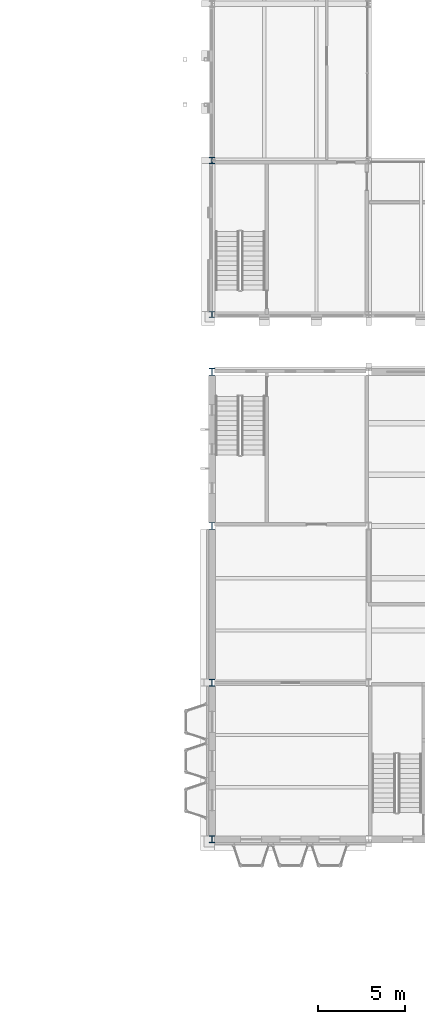
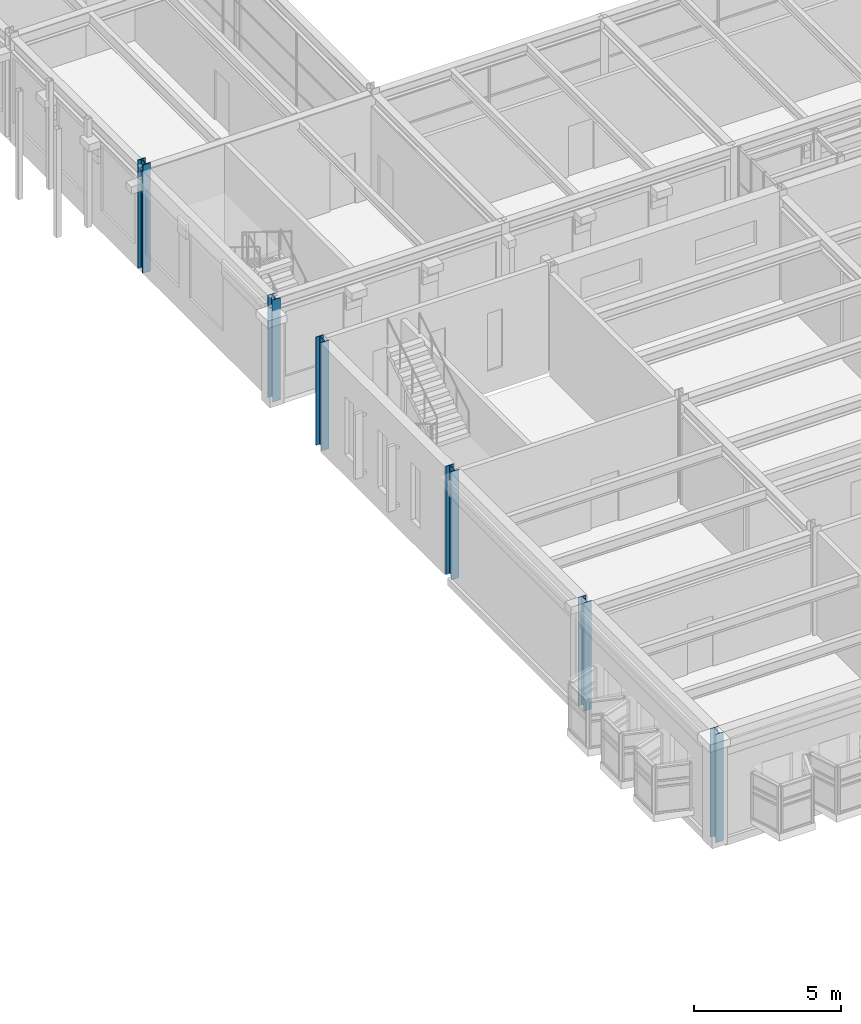
# One storey, part 2 of 153: 6 columns.
"""IFC4 building model written with IfcOpenShell, lengths in metres."""

from ifc_helpers import new_model, si_unit, direction, frame, origin, origin_2d, place, context, subcontext, project, spatial, i_section, extrude, material, material_profile, profile_set, type_object, element, save


model = new_model("IFC4")

# Units and contexts
model_context = context("Model", 3, precision=1e-05, world=origin(), true_north=direction((0.0, 1.0)))
body_context = subcontext(model_context, "Body", "Model", "MODEL_VIEW")
ifc_project = project(units=[si_unit("LENGTHUNIT", "METRE"), si_unit("AREAUNIT", "SQUARE_METRE"), si_unit("VOLUMEUNIT", "CUBIC_METRE"), si_unit("PLANEANGLEUNIT", "RADIAN"), si_unit("MASSUNIT", "GRAM", prefix="KILO")], contexts=[model_context])

# Site, building, storey
site_placement = place(None, origin())
site = spatial("IfcSite", under=ifc_project, at=site_placement, CompositionType="ELEMENT")
building_placement = place(site_placement, origin())
building = spatial("IfcBuilding", under=site, at=building_placement, Name="Kallimachos Central Library", CompositionType="ELEMENT")
storey_placement = place(building_placement, frame((0.0, 0.0, 5.39990234375)))
storey = spatial("IfcBuildingStorey", under=building, at=storey_placement, Name="L01", CompositionType="ELEMENT", Elevation=5.39990234375)

# Columns
ifc_material_1 = material(Name="Steel S355J2", Category="steel")
ifc_material_profile_1 = material_profile(ifc_material_1, i_section(OverallWidth=0.300048828125, OverallDepth=0.340087890625, WebThickness=0.011962890625, FlangeThickness=0.021484375, FilletRadius=0.027099609375, at=origin_2d()), Name="HEB 340")
ifc_profile_set_1 = profile_set([ifc_material_profile_1], Name="Steel S355J2")
column_type_1 = type_object("IfcColumnType", Name="HEB 340 column", PredefinedType="COLUMN", material=ifc_profile_set_1)
column_1_placement = place(storey_placement, frame((65.5, 48.14990234375, 0.0), z_axis=(0.0, 0.0, 1.0), x_axis=(1.0, 0.0, 0.0)))
element("IfcColumn", 1, at=column_1_placement, inside=storey, type_object=column_type_1, Name="V4-COL-L01-003", PredefinedType="COLUMN", context=body_context, shape_type="SweptSolid", body=[
    extrude(i_section(OverallWidth=0.300048828125, OverallDepth=0.340087890625, WebThickness=0.011962890625, FlangeThickness=0.021484375, FilletRadius=0.027099609375, at=origin_2d()), origin(), (0.0, 0.0, 1.0), 4.25),
])
ifc_material_2 = material(Name="Steel S355J2", Category="steel")
ifc_material_profile_2 = material_profile(ifc_material_2, i_section(OverallWidth=0.300048828125, OverallDepth=0.39990234375, WebThickness=0.013427734375, FlangeThickness=0.02392578125, FilletRadius=0.027099609375, at=origin_2d()), Name="HEB 400")
ifc_profile_set_2 = profile_set([ifc_material_profile_2], Name="Steel S355J2")
column_type_2 = type_object("IfcColumnType", Name="HEB 400 column", PredefinedType="COLUMN", material=ifc_profile_set_2)
for number, where, z_axis, x_axis, name in (
    (2, (65.5, 18.0, 0.0), (0.0, 0.0, 1.0), (1.0, 0.0, 0.0), "V5-COL-L01-001"),
    (3, (65.5, 27.0, 0.0), (0.0, 0.0, 1.0), (1.0, 0.0, 0.0), "V5-COL-L01-007"),
    (4, (65.5, 36.0, 0.0), (0.0, 0.0, 1.0), (1.0, 0.0, 0.0), "V5-COL-L01-013"),
    (5, (65.5, 44.85009765625, 0.0), (0.0, 0.0, 1.0), (1.0, 0.0, 0.0), "V5-COL-L01-019"),
):
    element("IfcColumn", number, at=place(storey_placement, frame(where, z_axis=z_axis, x_axis=x_axis)), inside=storey, type_object=column_type_2, Name=name, PredefinedType="COLUMN", context=body_context, shape_type="SweptSolid", body=[
        extrude(i_section(OverallWidth=0.300048828125, OverallDepth=0.39990234375, WebThickness=0.013427734375, FlangeThickness=0.02392578125, FilletRadius=0.027099609375, at=origin_2d()), origin(), (0.0, 0.0, 1.0), 4.5),
    ])
ifc_material_3 = material(Name="Steel S355J2", Category="steel")
ifc_material_profile_3 = material_profile(ifc_material_3, i_section(OverallWidth=0.30908203125, OverallDepth=0.376953125, WebThickness=0.02099609375, FlangeThickness=0.0400390625, FilletRadius=0.027099609375, at=origin_2d()), Name="HEM 340")
ifc_profile_set_3 = profile_set([ifc_material_profile_3], Name="Steel S355J2")
column_type_3 = type_object("IfcColumnType", Name="HEM 340 column", PredefinedType="COLUMN", material=ifc_profile_set_3)
column_2_placement = place(storey_placement, frame((65.5, 57.0, 0.0), z_axis=(0.0, 0.0, 1.0), x_axis=(1.0, 0.0, 0.0)))
element("IfcColumn", 6, at=column_2_placement, inside=storey, type_object=column_type_3, Name="V4-COL-L01-009", PredefinedType="COLUMN", context=body_context, shape_type="SweptSolid", body=[
    extrude(i_section(OverallWidth=0.30908203125, OverallDepth=0.376953125, WebThickness=0.02099609375, FlangeThickness=0.0400390625, FilletRadius=0.027099609375, at=origin_2d()), origin(), (0.0, 0.0, 1.0), 4.5),
])

save(model, "model.ifc")
